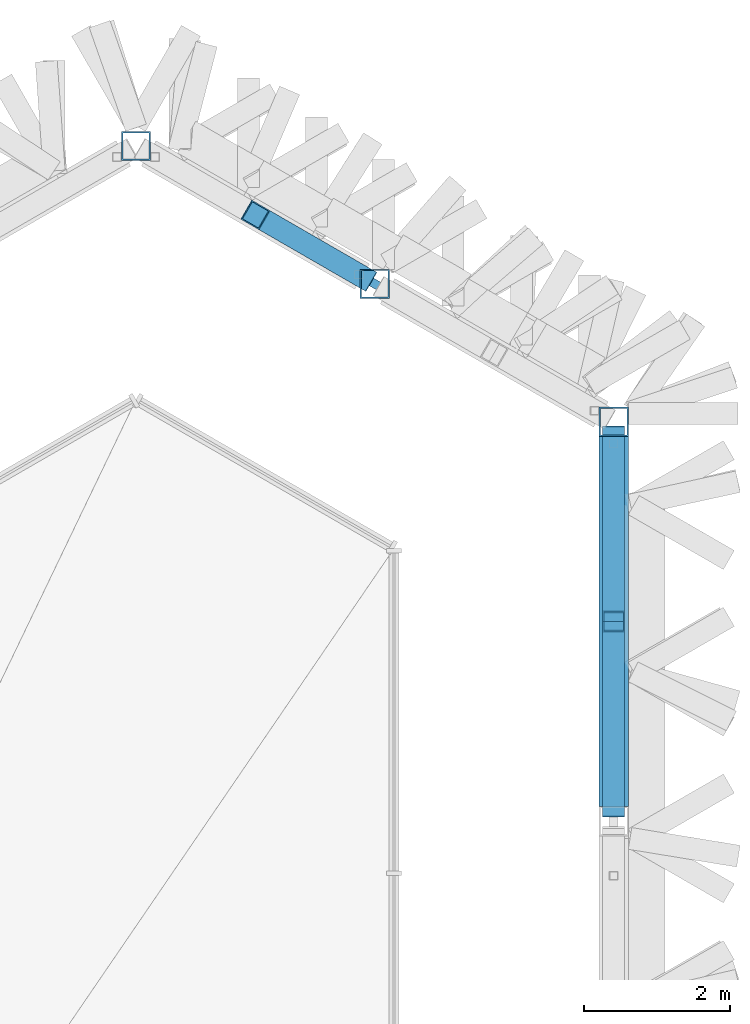
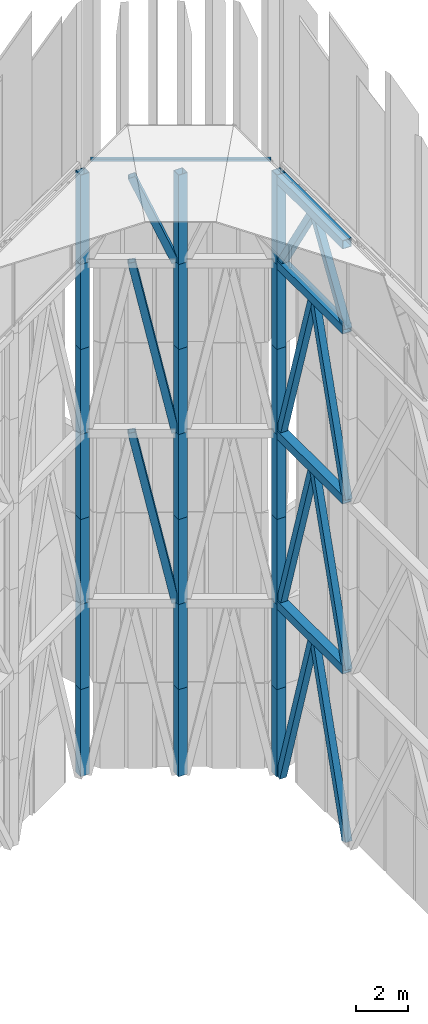
# One storey, part 17 of 45: 37 members.
"""IFC4 building model written with IfcOpenShell, lengths in metres."""

from ifc_helpers import new_model, si_unit, direction, frame, origin, origin_2d, place, context, subcontext, project, spatial, hollow_rectangle, extrude, material, material_profile, profile_set, type_object, element, save


model = new_model("IFC4")

# Units and contexts
model_context = context("Model", 3, precision=1e-05, world=origin(), true_north=direction((0.0, 1.0)))
body_context = subcontext(model_context, "Body", "Model", "MODEL_VIEW")
ifc_project = project(units=[si_unit("LENGTHUNIT", "METRE"), si_unit("AREAUNIT", "SQUARE_METRE"), si_unit("VOLUMEUNIT", "CUBIC_METRE"), si_unit("PLANEANGLEUNIT", "RADIAN"), si_unit("MASSUNIT", "GRAM", prefix="KILO")], contexts=[model_context])

# Site, building, storey
site_placement = place(None, origin())
site = spatial("IfcSite", under=ifc_project, at=site_placement, CompositionType="ELEMENT")
building_placement = place(site_placement, origin())
building = spatial("IfcBuilding", under=site, at=building_placement, Name="Jabali Bay Hotel Tower and Convention Centre", CompositionType="ELEMENT")
storey_placement = place(building_placement, frame((0.0, 0.0, 322.39990234375)))
storey = spatial("IfcBuildingStorey", under=building, at=storey_placement, Name="Crown", CompositionType="ELEMENT", Elevation=322.39990234375)

# Members
ifc_material_1 = material(Name="Steel Q355B", Category="steel")
ifc_material_profile_1 = material_profile(ifc_material_1, hollow_rectangle(XDim=0.1201171875, YDim=0.1201171875, WallThickness=0.008056640625, at=origin_2d()), Name="BMU rail")
ifc_profile_set_1 = profile_set([ifc_material_profile_1], Name="Steel Q355B")
member_type_1 = type_object("IfcMemberType", Name="BMU rail", PredefinedType="USERDEFINED", material=ifc_profile_set_1)
member_1_placement = place(storey_placement, frame((92.888916015625, 104.052001953125, 28.66015625), z_axis=(-0.866019616124, 0.500010024388, 0.0), x_axis=(-0.500010024388, -0.866019616124, 0.0)))
element("IfcMember", 1, at=member_1_placement, inside=storey, type_object=member_type_1, Name="BMU rail 2", ObjectType="BMU RAIL", PredefinedType="USERDEFINED", context=body_context, shape_type="SweptSolid", body=[
    extrude(hollow_rectangle(XDim=0.1201171875, YDim=0.1201171875, WallThickness=0.008056640625, at=origin_2d()), origin(), (0.0, 0.0, 1.0), 6.932373046875),
])
ifc_material_2 = material(Name="Steel Q420GJC", Category="steel")
ifc_material_profile_2 = material_profile(ifc_material_2, hollow_rectangle(XDim=0.300048828125, YDim=0.300048828125, WallThickness=0.01611328125, at=origin_2d()), Name="Crown frame brace 300x300x16")
ifc_profile_set_2 = profile_set([ifc_material_profile_2], Name="Steel Q420GJC")
member_type_2 = type_object("IfcMemberType", Name="Crown frame brace 300x300x16", PredefinedType="USERDEFINED", material=ifc_profile_set_2)
for number, where, z_axis, x_axis, name in (
    (2, (93.148681640625, 98.6455078125, -0.099853515625), (0.0, 0.29892577268, 0.954276365854), (-1.0, 0.0, 0.0), "Crown brace 1 F0.5-V1l"),
    (3, (93.148681640625, 103.701904296875, -0.099853515625), (0.0, -0.298899486633, 0.954284599525), (1.0, 0.0, 0.0), "Crown brace 1 F0.5-V1r"),
):
    element("IfcMember", number, at=place(storey_placement, frame(where, z_axis=z_axis, x_axis=x_axis)), inside=storey, type_object=member_type_2, Name=name, ObjectType="CROWN FRAME", PredefinedType="USERDEFINED", context=body_context, shape_type="SweptSolid", body=[
        extrude(hollow_rectangle(XDim=0.300048828125, YDim=0.300048828125, WallThickness=0.01611328125, at=origin_2d()), origin(), (0.0, 0.0, 1.0), 8.4580078125),
    ])
member_2_placement = place(storey_placement, frame((89.7138671875, 105.88525390625, 7.971435546875), z_axis=(-0.178927907173, 0.103293333784, 0.978424903215), x_axis=(-0.499961005871, -0.866047915885, 0.0)))
element("IfcMember", 4, at=member_2_placement, inside=storey, type_object=member_type_2, Name="Crown brace 2 M1-V2l", ObjectType="CROWN FRAME", PredefinedType="USERDEFINED", context=body_context, shape_type="SweptSolid", body=[
    extrude(hollow_rectangle(XDim=0.300048828125, YDim=0.300048828125, WallThickness=0.01611328125, at=origin_2d()), origin(), (0.0, 0.0, 1.0), 8.147216796875),
])
for number, where, z_axis, x_axis, name in (
    (5, (93.148681640625, 98.6455078125, 7.971435546875), (0.0, 0.302329909892, 0.953203349545), (-1.0, 0.0, 0.0), "Crown brace 2 F0.5-V1l"),
    (6, (93.148681640625, 103.701904296875, 7.971435546875), (0.0, -0.302303384248, 0.953211762345), (1.0, 0.0, 0.0), "Crown brace 2 F0.5-V1r"),
):
    element("IfcMember", number, at=place(storey_placement, frame(where, z_axis=z_axis, x_axis=x_axis)), inside=storey, type_object=member_type_2, Name=name, ObjectType="CROWN FRAME", PredefinedType="USERDEFINED", context=body_context, shape_type="SweptSolid", body=[
        extrude(hollow_rectangle(XDim=0.300048828125, YDim=0.300048828125, WallThickness=0.01611328125, at=origin_2d()), origin(), (0.0, 0.0, 1.0), 8.36279296875),
    ])
member_3_placement = place(storey_placement, frame((89.7138671875, 105.88525390625, 15.94287109375), z_axis=(-0.178927907173, 0.103293333784, 0.978424903215), x_axis=(-0.499961005871, -0.866047915885, 0.0)))
element("IfcMember", 7, at=member_3_placement, inside=storey, type_object=member_type_2, Name="Crown brace 3 M1-V2l", ObjectType="CROWN FRAME", PredefinedType="USERDEFINED", context=body_context, shape_type="SweptSolid", body=[
    extrude(hollow_rectangle(XDim=0.300048828125, YDim=0.300048828125, WallThickness=0.01611328125, at=origin_2d()), origin(), (0.0, 0.0, 1.0), 8.147216796875),
])
for number, where, z_axis, x_axis, name in (
    (8, (93.148681640625, 98.6455078125, 15.94287109375), (0.0, 0.302329909892, 0.953203349545), (-1.0, 0.0, 0.0), "Crown brace 3 F0.5-V1l"),
    (9, (93.148681640625, 103.701904296875, 15.94287109375), (0.0, -0.302303384248, 0.953211762345), (1.0, 0.0, 0.0), "Crown brace 3 F0.5-V1r"),
):
    element("IfcMember", number, at=place(storey_placement, frame(where, z_axis=z_axis, x_axis=x_axis)), inside=storey, type_object=member_type_2, Name=name, ObjectType="CROWN FRAME", PredefinedType="USERDEFINED", context=body_context, shape_type="SweptSolid", body=[
        extrude(hollow_rectangle(XDim=0.300048828125, YDim=0.300048828125, WallThickness=0.01611328125, at=origin_2d()), origin(), (0.0, 0.0, 1.0), 8.36279296875),
    ])
member_4_placement = place(storey_placement, frame((89.7138671875, 105.88525390625, 23.914306640625), z_axis=(-0.336923901362, 0.194502878579, 0.921222511077), x_axis=(-0.499961005871, -0.866047915885, 0.0)))
element("IfcMember", 10, at=member_4_placement, inside=storey, type_object=member_type_2, Name="Crown brace 4 M1-V2l", ObjectType="CROWN FRAME", PredefinedType="USERDEFINED", context=body_context, shape_type="SweptSolid", body=[
    extrude(hollow_rectangle(XDim=0.300048828125, YDim=0.300048828125, WallThickness=0.01611328125, at=origin_2d()), origin(), (0.0, 0.0, 1.0), 4.32666015625),
])
member_5_placement = place(storey_placement, frame((93.148681640625, 98.6455078125, 23.914306640625), z_axis=(0.0, 0.535649988863, 0.844440104111), x_axis=(-1.0, 0.0, 0.0)))
element("IfcMember", 11, at=member_5_placement, inside=storey, type_object=member_type_2, Name="Crown brace 4 F0.5-V1l", ObjectType="CROWN FRAME", PredefinedType="USERDEFINED", context=body_context, shape_type="SweptSolid", body=[
    extrude(hollow_rectangle(XDim=0.300048828125, YDim=0.300048828125, WallThickness=0.01611328125, at=origin_2d()), origin(), (0.0, 0.0, 1.0), 4.72021484375),
])
member_6_placement = place(storey_placement, frame((93.148681640625, 103.701904296875, 23.914306640625), z_axis=(0.0, -0.535613104286, 0.844463499814), x_axis=(1.0, 0.0, 0.0)))
element("IfcMember", 12, at=member_6_placement, inside=storey, type_object=member_type_2, Name="Crown brace 4 F0.5-V1r", ObjectType="CROWN FRAME", PredefinedType="USERDEFINED", context=body_context, shape_type="SweptSolid", body=[
    extrude(hollow_rectangle(XDim=0.300048828125, YDim=0.300048828125, WallThickness=0.01611328125, at=origin_2d()), origin(), (0.0, 0.0, 1.0), 4.719970703125),
])
ifc_material_profile_3 = material_profile(ifc_material_2, hollow_rectangle(XDim=0.39990234375, YDim=0.39990234375, WallThickness=0.02001953125, at=origin_2d()), Name="Crown frame member 400x400x20")
ifc_profile_set_3 = profile_set([ifc_material_profile_3], Name="Steel Q420GJC")
member_type_3 = type_object("IfcMemberType", Name="Crown frame member 400x400x20", PredefinedType="USERDEFINED", material=ifc_profile_set_3)
for number, where, z_axis, x_axis, name in (
    (13, (89.886962890625, 105.78515625, -0.099853515625), (0.0, 0.0, 1.0), (1.0, 0.0, 0.0), "Crown post M1 1"),
    (14, (86.625244140625, 107.668212890625, -0.099853515625), (0.0, 0.0, 1.0), (1.0, 0.0, 0.0), "Crown post V2 1"),
    (15, (93.148681640625, 103.90185546875, -0.099853515625), (0.0, 0.0, 1.0), (1.0, 0.0, 0.0), "Crown post V1 1"),
):
    element("IfcMember", number, at=place(storey_placement, frame(where, z_axis=z_axis, x_axis=x_axis)), inside=storey, type_object=member_type_3, Name=name, ObjectType="CROWN FRAME", PredefinedType="USERDEFINED", context=body_context, shape_type="SweptSolid", body=[
        extrude(hollow_rectangle(XDim=0.39990234375, YDim=0.39990234375, WallThickness=0.02001953125, at=origin_2d()), origin(), (0.0, 0.0, 1.0), 4.085693359375),
    ])
for number, where, z_axis, x_axis, name in (
    (16, (89.886962890625, 105.78515625, 3.98583984375), (0.0, 0.0, 1.0), (1.0, 0.0, 0.0), "Crown post M1 2"),
    (17, (86.625244140625, 107.668212890625, 3.98583984375), (0.0, 0.0, 1.0), (1.0, 0.0, 0.0), "Crown post V2 2"),
    (18, (93.148681640625, 103.90185546875, 3.98583984375), (0.0, 0.0, 1.0), (1.0, 0.0, 0.0), "Crown post V1 2"),
):
    element("IfcMember", number, at=place(storey_placement, frame(where, z_axis=z_axis, x_axis=x_axis)), inside=storey, type_object=member_type_3, Name=name, ObjectType="CROWN FRAME", PredefinedType="USERDEFINED", context=body_context, shape_type="SweptSolid", body=[
        extrude(hollow_rectangle(XDim=0.39990234375, YDim=0.39990234375, WallThickness=0.02001953125, at=origin_2d()), origin(), (0.0, 0.0, 1.0), 3.985595703125),
    ])
for number, where, z_axis, x_axis, name in (
    (19, (89.886962890625, 105.78515625, 7.971435546875), (0.0, 0.0, 1.0), (1.0, 0.0, 0.0), "Crown post M1 3"),
    (20, (86.625244140625, 107.668212890625, 7.971435546875), (0.0, 0.0, 1.0), (1.0, 0.0, 0.0), "Crown post V2 3"),
    (21, (93.148681640625, 103.90185546875, 7.971435546875), (0.0, 0.0, 1.0), (1.0, 0.0, 0.0), "Crown post V1 3"),
):
    element("IfcMember", number, at=place(storey_placement, frame(where, z_axis=z_axis, x_axis=x_axis)), inside=storey, type_object=member_type_3, Name=name, ObjectType="CROWN FRAME", PredefinedType="USERDEFINED", context=body_context, shape_type="SweptSolid", body=[
        extrude(hollow_rectangle(XDim=0.39990234375, YDim=0.39990234375, WallThickness=0.02001953125, at=origin_2d()), origin(), (0.0, 0.0, 1.0), 3.98583984375),
    ])
for number, where, z_axis, x_axis, name in (
    (22, (89.886962890625, 105.78515625, 11.957275390625), (0.0, 0.0, 1.0), (1.0, 0.0, 0.0), "Crown post M1 4"),
    (23, (86.625244140625, 107.668212890625, 11.957275390625), (0.0, 0.0, 1.0), (1.0, 0.0, 0.0), "Crown post V2 4"),
    (24, (93.148681640625, 103.90185546875, 11.957275390625), (0.0, 0.0, 1.0), (1.0, 0.0, 0.0), "Crown post V1 4"),
):
    element("IfcMember", number, at=place(storey_placement, frame(where, z_axis=z_axis, x_axis=x_axis)), inside=storey, type_object=member_type_3, Name=name, ObjectType="CROWN FRAME", PredefinedType="USERDEFINED", context=body_context, shape_type="SweptSolid", body=[
        extrude(hollow_rectangle(XDim=0.39990234375, YDim=0.39990234375, WallThickness=0.02001953125, at=origin_2d()), origin(), (0.0, 0.0, 1.0), 3.985595703125),
    ])
for number, where, z_axis, x_axis, name in (
    (25, (89.886962890625, 105.78515625, 15.94287109375), (0.0, 0.0, 1.0), (1.0, 0.0, 0.0), "Crown post M1 5"),
    (26, (86.625244140625, 107.668212890625, 15.94287109375), (0.0, 0.0, 1.0), (1.0, 0.0, 0.0), "Crown post V2 5"),
    (27, (93.148681640625, 103.90185546875, 15.94287109375), (0.0, 0.0, 1.0), (1.0, 0.0, 0.0), "Crown post V1 5"),
):
    element("IfcMember", number, at=place(storey_placement, frame(where, z_axis=z_axis, x_axis=x_axis)), inside=storey, type_object=member_type_3, Name=name, ObjectType="CROWN FRAME", PredefinedType="USERDEFINED", context=body_context, shape_type="SweptSolid", body=[
        extrude(hollow_rectangle(XDim=0.39990234375, YDim=0.39990234375, WallThickness=0.02001953125, at=origin_2d()), origin(), (0.0, 0.0, 1.0), 3.98583984375),
    ])
for number, where, z_axis, x_axis, name in (
    (28, (89.886962890625, 105.78515625, 19.9287109375), (0.0, 0.0, 1.0), (1.0, 0.0, 0.0), "Crown post M1 6"),
    (29, (86.625244140625, 107.668212890625, 19.9287109375), (0.0, 0.0, 1.0), (1.0, 0.0, 0.0), "Crown post V2 6"),
    (30, (93.148681640625, 103.90185546875, 19.9287109375), (0.0, 0.0, 1.0), (1.0, 0.0, 0.0), "Crown post V1 6"),
):
    element("IfcMember", number, at=place(storey_placement, frame(where, z_axis=z_axis, x_axis=x_axis)), inside=storey, type_object=member_type_3, Name=name, ObjectType="CROWN FRAME", PredefinedType="USERDEFINED", context=body_context, shape_type="SweptSolid", body=[
        extrude(hollow_rectangle(XDim=0.39990234375, YDim=0.39990234375, WallThickness=0.02001953125, at=origin_2d()), origin(), (0.0, 0.0, 1.0), 3.985595703125),
    ])
for number, where, z_axis, x_axis, name in (
    (31, (89.886962890625, 105.78515625, 23.914306640625), (0.0, 0.0, 1.0), (1.0, 0.0, 0.0), "Crown post M1 7"),
    (32, (86.625244140625, 107.668212890625, 23.914306640625), (0.0, 0.0, 1.0), (1.0, 0.0, 0.0), "Crown post V2 7"),
    (33, (93.148681640625, 103.90185546875, 23.914306640625), (0.0, 0.0, 1.0), (1.0, 0.0, 0.0), "Crown post V1 7"),
):
    element("IfcMember", number, at=place(storey_placement, frame(where, z_axis=z_axis, x_axis=x_axis)), inside=storey, type_object=member_type_3, Name=name, ObjectType="CROWN FRAME", PredefinedType="USERDEFINED", context=body_context, shape_type="SweptSolid", body=[
        extrude(hollow_rectangle(XDim=0.39990234375, YDim=0.39990234375, WallThickness=0.02001953125, at=origin_2d()), origin(), (0.0, 0.0, 1.0), 4.185791015625),
    ])
for number, where, z_axis, x_axis, name in (
    (34, (93.148681640625, 98.6455078125, 7.971435546875), (0.0, 1.0, 0.0), (-1.0, 0.0, 0.0), "Crown ring 330.371 F0.5-V1"),
    (35, (93.148681640625, 98.6455078125, 15.94287109375), (0.0, 1.0, 0.0), (-1.0, 0.0, 0.0), "Crown ring 338.343 F0.5-V1"),
    (36, (93.148681640625, 98.6455078125, 23.914306640625), (0.0, 1.0, 0.0), (-1.0, 0.0, 0.0), "Crown ring 346.314 F0.5-V1"),
    (37, (93.148681640625, 98.6455078125, 27.900146484375), (0.0, 1.0, 0.0), (-1.0, 0.0, 0.0), "Crown ring 350.3 F0.5-V1"),
):
    element("IfcMember", number, at=place(storey_placement, frame(where, z_axis=z_axis, x_axis=x_axis)), inside=storey, type_object=member_type_3, Name=name, ObjectType="CROWN FRAME", PredefinedType="USERDEFINED", context=body_context, shape_type="SweptSolid", body=[
        extrude(hollow_rectangle(XDim=0.39990234375, YDim=0.39990234375, WallThickness=0.02001953125, at=origin_2d()), origin(), (0.0, 0.0, 1.0), 5.056396484375),
    ])

save(model, "model.ifc")
